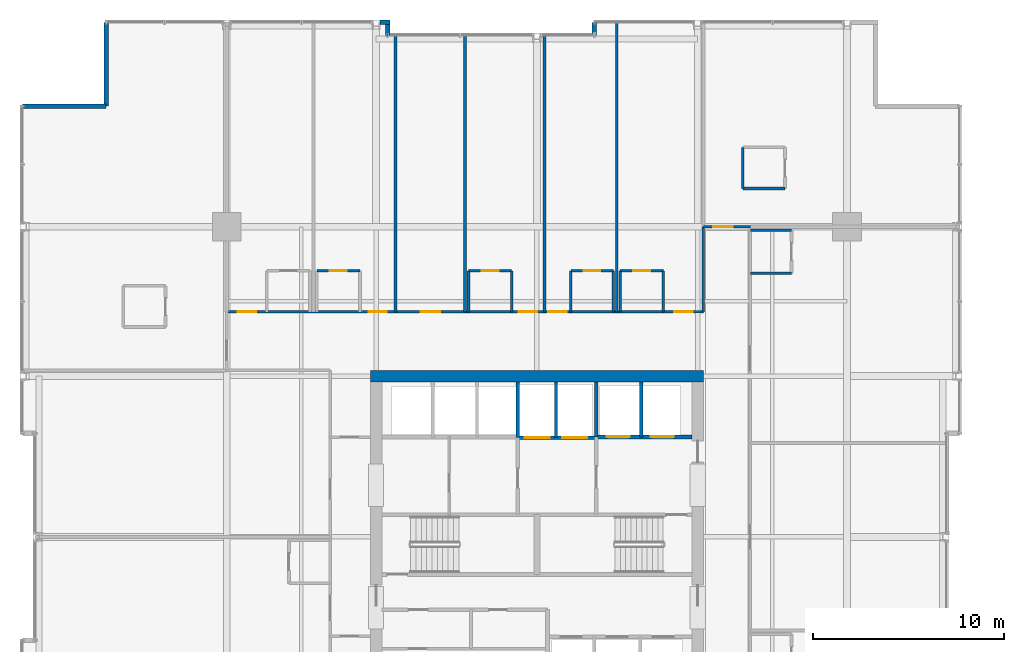
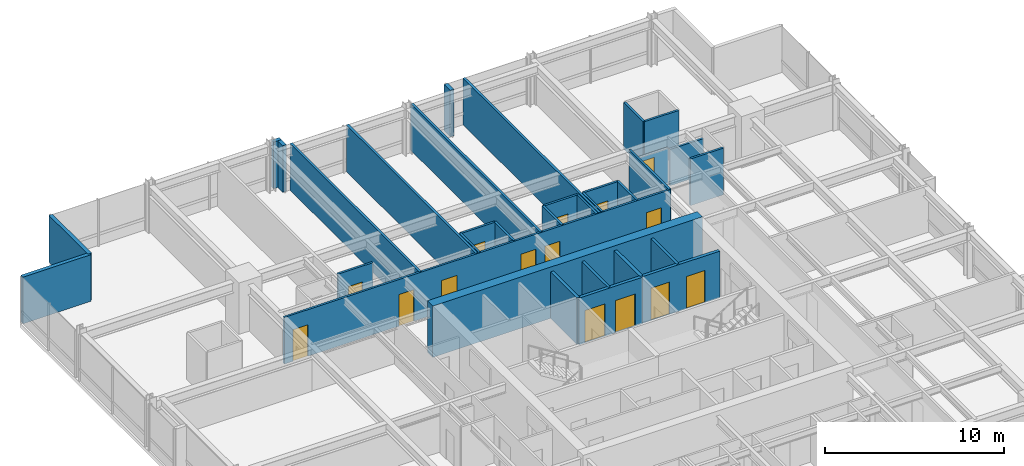
# One storey, part 31 of 35: 33 walls, 15 doors, 15 openings.
"""IFC4 building model written with IfcOpenShell, lengths in metres."""

from ifc_helpers import new_model, si_unit, direction, frame, frame_2d, origin, place, context, subcontext, project, spatial, rectangle, extrude, material, layer, layer_set, type_object, element, fill, save


model = new_model("IFC4")

# Units and contexts
model_context = context("Model", 3, precision=1e-05, world=origin(), true_north=direction((0.0, 1.0)))
body_context = subcontext(model_context, "Body", "Model", "MODEL_VIEW")
ifc_project = project(units=[si_unit("LENGTHUNIT", "METRE"), si_unit("AREAUNIT", "SQUARE_METRE"), si_unit("VOLUMEUNIT", "CUBIC_METRE"), si_unit("PLANEANGLEUNIT", "RADIAN"), si_unit("MASSUNIT", "GRAM", prefix="KILO")], contexts=[model_context])

# Site, building, storey
site_placement = place(None, origin())
site = spatial("IfcSite", under=ifc_project, at=site_placement, CompositionType="ELEMENT")
building_placement = place(site_placement, origin())
building = spatial("IfcBuilding", under=site, at=building_placement, Name="Drelvath Grand Hotel", CompositionType="ELEMENT")
storey_placement = place(building_placement, frame((0.0, 0.0, 137.300048828125)))
storey = spatial("IfcBuildingStorey", under=building, at=storey_placement, Name="L35", CompositionType="ELEMENT", Elevation=137.300048828125)

# Wall, openings, doors
ifc_material_1 = material(Name="Concrete C40/50", Category="concrete")
ifc_layer_1 = layer(ifc_material_1, 0.199951171875)
ifc_layer_set_1 = layer_set([ifc_layer_1], Name="Concrete C40/50")
wall_type_1 = type_object("IfcWallType", Name="Core Hoistway Fire Wall 200", PredefinedType="SOLIDWALL", material=ifc_layer_set_1)
wall_1_placement = place(storey_placement, frame((3.10009765625, 32.219970703125, 0.0), z_axis=(0.0, 0.0, 1.0), x_axis=(1.0, 0.0, 0.0)))
wall_1 = element("IfcWall", 1, at=wall_1_placement, inside=storey, type_object=wall_type_1, Name="L35 FSAE Hoistway Front Wall", PredefinedType="SOLIDWALL", context=body_context, shape_type="SweptSolid", body=[
    extrude(rectangle(XDim=5.0, YDim=0.199951171875, at=frame_2d((2.5, 0.0))), origin(), (0.0, 0.0, 1.0), 3.179931640625),
])
opening_1_placement = place(wall_1_placement, frame((0.550048828125, 0.0, 0.0)))
opening_1 = element("IfcOpeningElement", 2, at=opening_1_placement, cuts=wall_1, Name="Opening LD-FSAE-1", PredefinedType="OPENING", context=body_context, shape_type="SweptSolid", body=[
    extrude(rectangle(XDim=1.199951171875, YDim=2.199951171875, at=frame_2d((0.60009765625, 1.10009765625))), frame((0.0, 0.10986328125, 0.0), z_axis=(0.0, -1.0, 0.0), x_axis=(1.0, 0.0, 0.0)), (0.0, 0.0, 1.0), 0.219970703125),
])
opening_2_placement = place(wall_1_placement, frame((2.85009765625, 0.0, 0.0)))
opening_2 = element("IfcOpeningElement", 3, at=opening_2_placement, cuts=wall_1, Name="Opening LD-FSAE-2", PredefinedType="OPENING", context=body_context, shape_type="SweptSolid", body=[
    extrude(rectangle(XDim=1.199951171875, YDim=2.199951171875, at=frame_2d((0.60009765625, 1.10009765625))), frame((0.0, 0.10986328125, 0.0), z_axis=(0.0, -1.0, 0.0), x_axis=(1.0, 0.0, 0.0)), (0.0, 0.0, 1.0), 0.219970703125),
])
ifc_material_2 = material(Name="Stainless Steel S355", Category="steel")
door_type_1 = type_object("IfcDoorType", Name="FSAE Lift Sliding Landing Door 1200x2200", OperationType="NOTDEFINED", PredefinedType="DOOR", material=ifc_material_2)
door_1_placement = place(opening_1_placement, origin())
door_1 = element("IfcDoor", 4, at=door_1_placement, inside=storey, type_object=door_type_1, Name="L35 Lift FSAE-1 Landing Door", OperationType="SLIDING_TO_LEFT", OverallHeight=2.199951171875, OverallWidth=1.199951171875, PredefinedType="DOOR", context=body_context, shape_type="SweptSolid", body=[
    extrude(rectangle(XDim=1.199951171875, YDim=2.199951171875, at=frame_2d((0.60009765625, 1.10009765625))), frame((0.0, 0.02490234375, 0.0), z_axis=(0.0, -1.0, 0.0), x_axis=(1.0, 0.0, 0.0)), (0.0, 0.0, 1.0), 0.050048828125),
])
fill(opening_1, door_1)
door_2_placement = place(opening_2_placement, origin())
door_2 = element("IfcDoor", 5, at=door_2_placement, inside=storey, type_object=door_type_1, Name="L35 Lift FSAE-2 Landing Door", OperationType="SLIDING_TO_LEFT", OverallHeight=2.199951171875, OverallWidth=1.199951171875, PredefinedType="DOOR", context=body_context, shape_type="SweptSolid", body=[
    extrude(rectangle(XDim=1.199951171875, YDim=2.199951171875, at=frame_2d((0.60009765625, 1.10009765625))), frame((0.0, 0.02490234375, 0.0), z_axis=(0.0, -1.0, 0.0), x_axis=(1.0, 0.0, 0.0)), (0.0, 0.0, 1.0), 0.050048828125),
])
fill(opening_2, door_2)

# Wall
wall_2_placement = place(storey_placement, frame((3.10009765625, 32.219970703125, 0.0), z_axis=(0.0, 0.0, 1.0), x_axis=(0.0, 1.0, 0.0)))
element("IfcWall", 6, at=wall_2_placement, inside=storey, type_object=wall_type_1, Name="L35 FSAE Hoistway West Wall", PredefinedType="SOLIDWALL", context=body_context, shape_type="SweptSolid", body=[
    extrude(rectangle(XDim=2.880126953125, YDim=0.199951171875, at=frame_2d((1.43994140625, 0.0))), origin(), (0.0, 0.0, 1.0), 3.179931640625),
])

# Wall, openings, doors
wall_3_placement = place(storey_placement, frame((-1.0, 32.179931640625, 0.0), z_axis=(0.0, 0.0, 1.0), x_axis=(1.0, 0.0, 0.0)))
wall_3 = element("IfcWall", 7, at=wall_3_placement, inside=storey, type_object=wall_type_1, Name="L35 Service Lift Hoistway Wall", PredefinedType="SOLIDWALL", context=body_context, shape_type="SweptSolid", body=[
    extrude(rectangle(XDim=4.10009765625, YDim=0.199951171875, at=frame_2d((2.050048828125, 0.0))), origin(), (0.0, 0.0, 1.0), 3.179931640625),
])
opening_3_placement = place(wall_3_placement, frame((0.3701171875, 0.0, 0.0)))
opening_3 = element("IfcOpeningElement", 8, at=opening_3_placement, cuts=wall_3, Name="Opening LD-SV-2", PredefinedType="OPENING", context=body_context, shape_type="SweptSolid", body=[
    extrude(rectangle(XDim=1.300048828125, YDim=2.199951171875, at=frame_2d((0.64990234375, 1.10009765625))), frame((0.0, 0.10986328125, 0.0), z_axis=(0.0, -1.0, 0.0), x_axis=(1.0, 0.0, 0.0)), (0.0, 0.0, 1.0), 0.219970703125),
])
opening_4_placement = place(wall_3_placement, frame((2.330078125, 0.0, 0.0)))
opening_4 = element("IfcOpeningElement", 9, at=opening_4_placement, cuts=wall_3, Name="Opening LD-SV-1", PredefinedType="OPENING", context=body_context, shape_type="SweptSolid", body=[
    extrude(rectangle(XDim=1.300048828125, YDim=2.199951171875, at=frame_2d((0.64990234375, 1.10009765625))), frame((0.0, 0.10986328125, 0.0), z_axis=(0.0, -1.0, 0.0), x_axis=(1.0, 0.0, 0.0)), (0.0, 0.0, 1.0), 0.219970703125),
])
door_type_2 = type_object("IfcDoorType", Name="Service Lift Sliding Landing Door 1300x2200", OperationType="NOTDEFINED", PredefinedType="DOOR", material=ifc_material_2)
door_3_placement = place(opening_3_placement, origin())
door_3 = element("IfcDoor", 10, at=door_3_placement, inside=storey, type_object=door_type_2, Name="L35 Lift SV-2 Landing Door", OperationType="SLIDING_TO_LEFT", OverallHeight=2.199951171875, OverallWidth=1.300048828125, PredefinedType="DOOR", context=body_context, shape_type="SweptSolid", body=[
    extrude(rectangle(XDim=1.300048828125, YDim=2.199951171875, at=frame_2d((0.64990234375, 1.10009765625))), frame((0.0, 0.02490234375, 0.0), z_axis=(0.0, -1.0, 0.0), x_axis=(1.0, 0.0, 0.0)), (0.0, 0.0, 1.0), 0.050048828125),
])
fill(opening_3, door_3)
door_4_placement = place(opening_4_placement, origin())
door_4 = element("IfcDoor", 11, at=door_4_placement, inside=storey, type_object=door_type_2, Name="L35 Lift SV-1 Landing Door", OperationType="SLIDING_TO_LEFT", OverallHeight=2.199951171875, OverallWidth=1.300048828125, PredefinedType="DOOR", context=body_context, shape_type="SweptSolid", body=[
    extrude(rectangle(XDim=1.300048828125, YDim=2.199951171875, at=frame_2d((0.64990234375, 1.10009765625))), frame((0.0, 0.02490234375, 0.0), z_axis=(0.0, -1.0, 0.0), x_axis=(1.0, 0.0, 0.0)), (0.0, 0.0, 1.0), 0.050048828125),
])
fill(opening_4, door_4)

# Walls
wall_4_placement = place(storey_placement, frame((-1.0, 32.179931640625, 0.0), z_axis=(0.0, 0.0, 1.0), x_axis=(0.0, 1.0, 0.0)))
element("IfcWall", 12, at=wall_4_placement, inside=storey, type_object=wall_type_1, Name="L35 Service Lift West Wall", PredefinedType="SOLIDWALL", context=body_context, shape_type="SweptSolid", body=[
    extrude(rectangle(XDim=2.920166015625, YDim=0.199951171875, at=frame_2d((1.4599609375, 0.0))), origin(), (0.0, 0.0, 1.0), 3.179931640625),
])
ifc_material_3 = material(Name="Gypsum Fireboard Partition")
ifc_layer_2 = layer(ifc_material_3, 0.1650390625)
ifc_layer_set_2 = layer_set([ifc_layer_2], Name="Gypsum Fireboard Partition")
wall_type_2 = type_object("IfcWallType", Name="Core Shaft Partition 165", PredefinedType="PARTITIONING", material=ifc_layer_set_2)
wall_5_placement = place(storey_placement, frame((5.449951171875, 32.219970703125, 0.0), z_axis=(0.0, 0.0, 1.0), x_axis=(0.0, 1.0, 0.0)))
element("IfcWall", 13, at=wall_5_placement, inside=storey, type_object=wall_type_2, Name="L35 FSAE Hoistway Divider", PredefinedType="PARTITIONING", context=body_context, shape_type="SweptSolid", body=[
    extrude(rectangle(XDim=2.880126953125, YDim=0.1650390625, at=frame_2d((1.43994140625, 0.0))), origin(), (0.0, 0.0, 1.0), 3.179931640625),
])
wall_6_placement = place(storey_placement, frame((1.0, 32.179931640625, 0.0), z_axis=(0.0, 0.0, 1.0), x_axis=(0.0, 1.0, 0.0)))
element("IfcWall", 14, at=wall_6_placement, inside=storey, type_object=wall_type_2, Name="L35 Service Lift Divider", PredefinedType="PARTITIONING", context=body_context, shape_type="SweptSolid", body=[
    extrude(rectangle(XDim=2.920166015625, YDim=0.1650390625, at=frame_2d((1.4599609375, 0.0))), origin(), (0.0, 0.0, 1.0), 3.179931640625),
])
ifc_layer_3 = layer(ifc_material_3, 0.135009765625)
ifc_layer_set_3 = layer_set([ifc_layer_3], Name="Gypsum Fireboard Partition")
wall_type_3 = type_object("IfcWallType", Name="Corridor Fire Barrier Wall 135", PredefinedType="PARTITIONING", material=ifc_layer_set_3)
wall_7_placement = place(storey_placement, frame((8.699951171875, 38.75, 0.0), z_axis=(0.0, 0.0, 1.0), x_axis=(0.0, 1.0, 0.0)))
element("IfcWall", 15, at=wall_7_placement, inside=storey, type_object=wall_type_3, Name="L35 East Spine North Inner Wall", PredefinedType="PARTITIONING", context=body_context, shape_type="SweptSolid", body=[
    extrude(rectangle(XDim=4.449951171875, YDim=0.135009765625, at=frame_2d((2.22509765625, 0.0))), origin(), (0.0, 0.0, 1.0), 3.179931640625),
])

# Wall, openings, doors
wall_8_placement = place(storey_placement, frame((-16.199951171875, 38.75, 0.0), z_axis=(0.0, 0.0, 1.0), x_axis=(1.0, 0.0, 0.0)))
wall_8 = element("IfcWall", 16, at=wall_8_placement, inside=storey, type_object=wall_type_3, Name="L35 North Stub Corridor Wall", PredefinedType="PARTITIONING", context=body_context, shape_type="SweptSolid", body=[
    extrude(rectangle(XDim=24.89990234375, YDim=0.135009765625, at=frame_2d((12.449951171875, 0.0))), origin(), (0.0, 0.0, 1.0), 3.179931640625),
])
opening_5_placement = place(wall_8_placement, frame((0.568603515625, 0.0, 0.0)))
opening_5 = element("IfcOpeningElement", 17, at=opening_5_placement, cuts=wall_8, Name="Opening D-T2G5-040", PredefinedType="OPENING", context=body_context, shape_type="SweptSolid", body=[
    extrude(rectangle(XDim=0.9599609375, YDim=2.14990234375, at=frame_2d((0.47998046875, 1.074951171875))), frame((0.0, 0.077392578125, 0.0), z_axis=(0.0, -1.0, 0.0), x_axis=(1.0, 0.0, 0.0)), (0.0, 0.0, 1.0), 0.155029296875),
])
opening_6_placement = place(wall_8_placement, frame((7.40869140625, 0.0, 0.0)))
opening_6 = element("IfcOpeningElement", 18, at=opening_6_placement, cuts=wall_8, Name="Opening D-T2G5-042", PredefinedType="OPENING", context=body_context, shape_type="SweptSolid", body=[
    extrude(rectangle(XDim=0.9599609375, YDim=2.14990234375, at=frame_2d((0.47998046875, 1.074951171875))), frame((0.0, 0.077392578125, 0.0), z_axis=(0.0, -1.0, 0.0), x_axis=(1.0, 0.0, 0.0)), (0.0, 0.0, 1.0), 0.155029296875),
])
opening_7_placement = place(wall_8_placement, frame((10.125, 0.0, 0.0)))
opening_7 = element("IfcOpeningElement", 19, at=opening_7_placement, cuts=wall_8, Name="Opening D-T2G5-043", PredefinedType="OPENING", context=body_context, shape_type="SweptSolid", body=[
    extrude(rectangle(XDim=1.02001953125, YDim=2.14990234375, at=frame_2d((0.510009765625, 1.074951171875))), frame((0.0, 0.077392578125, 0.0), z_axis=(0.0, -1.0, 0.0), x_axis=(1.0, 0.0, 0.0)), (0.0, 0.0, 1.0), 0.155029296875),
])
opening_8_placement = place(wall_8_placement, frame((15.260009765625, 0.0, 0.0)))
opening_8 = element("IfcOpeningElement", 20, at=opening_8_placement, cuts=wall_8, Name="Opening D-T2G5-045", PredefinedType="OPENING", context=body_context, shape_type="SweptSolid", body=[
    extrude(rectangle(XDim=0.9599609375, YDim=2.14990234375, at=frame_2d((0.47998046875, 1.074951171875))), frame((0.0, 0.077392578125, 0.0), z_axis=(0.0, -1.0, 0.0), x_axis=(1.0, 0.0, 0.0)), (0.0, 0.0, 1.0), 0.155029296875),
])
opening_9_placement = place(wall_8_placement, frame((16.804931640625, 0.0, 0.0)))
opening_9 = element("IfcOpeningElement", 21, at=opening_9_placement, cuts=wall_8, Name="Opening D-T2G5-047", PredefinedType="OPENING", context=body_context, shape_type="SweptSolid", body=[
    extrude(rectangle(XDim=0.9599609375, YDim=2.14990234375, at=frame_2d((0.47998046875, 1.074951171875))), frame((0.0, 0.077392578125, 0.0), z_axis=(0.0, -1.0, 0.0), x_axis=(1.0, 0.0, 0.0)), (0.0, 0.0, 1.0), 0.155029296875),
])
opening_10_placement = place(wall_8_placement, frame((23.371337890625, 0.0, 0.0)))
opening_10 = element("IfcOpeningElement", 22, at=opening_10_placement, cuts=wall_8, Name="Opening D-T2G5-049", PredefinedType="OPENING", context=body_context, shape_type="SweptSolid", body=[
    extrude(rectangle(XDim=0.9599609375, YDim=2.14990234375, at=frame_2d((0.47998046875, 1.074951171875))), frame((0.0, 0.077392578125, 0.0), z_axis=(0.0, -1.0, 0.0), x_axis=(1.0, 0.0, 0.0)), (0.0, 0.0, 1.0), 0.155029296875),
])
ifc_material_4 = material(Name="Hardwood Walnut Timber", Category="wood")
door_type_3 = type_object("IfcDoorType", Name="Amenity Meeting Fire Door 1020x2150", OperationType="NOTDEFINED", PredefinedType="DOOR", material=ifc_material_4)
door_5_placement = place(opening_7_placement, origin())
door_5 = element("IfcDoor", 23, at=door_5_placement, inside=storey, type_object=door_type_3, Name="L35 Horizon Briefing Room Entry Door", OperationType="SINGLE_SWING_RIGHT", OverallHeight=2.14990234375, OverallWidth=1.02001953125, PredefinedType="DOOR", context=body_context, shape_type="SweptSolid", body=[
    extrude(rectangle(XDim=1.02001953125, YDim=2.14990234375, at=frame_2d((0.510009765625, 1.074951171875))), frame((0.0, 0.02490234375, 0.0), z_axis=(0.0, -1.0, 0.0), x_axis=(1.0, 0.0, 0.0)), (0.0, 0.0, 1.0), 0.050048828125),
])
fill(opening_7, door_5)
door_type_4 = type_object("IfcDoorType", Name="Guestroom Entrance Fire Door 960x2150", OperationType="NOTDEFINED", PredefinedType="DOOR", material=ifc_material_4)
door_6_placement = place(opening_5_placement, origin())
door_6 = element("IfcDoor", 24, at=door_6_placement, inside=storey, type_object=door_type_4, Name="L35 Deluxe Guest Room Entry Door", OperationType="SINGLE_SWING_LEFT", OverallHeight=2.14990234375, OverallWidth=0.9599609375, PredefinedType="DOOR", context=body_context, shape_type="SweptSolid", body=[
    extrude(rectangle(XDim=0.9599609375, YDim=2.14990234375, at=frame_2d((0.47998046875, 1.074951171875))), frame((0.0, 0.02490234375, 0.0), z_axis=(0.0, -1.0, 0.0), x_axis=(1.0, 0.0, 0.0)), (0.0, 0.0, 1.0), 0.050048828125),
])
fill(opening_5, door_6)
door_7_placement = place(opening_6_placement, origin())
door_7 = element("IfcDoor", 25, at=door_7_placement, inside=storey, type_object=door_type_4, Name="L35 Deluxe Guest Room Entry Door", OperationType="SINGLE_SWING_LEFT", OverallHeight=2.14990234375, OverallWidth=0.9599609375, PredefinedType="DOOR", context=body_context, shape_type="SweptSolid", body=[
    extrude(rectangle(XDim=0.9599609375, YDim=2.14990234375, at=frame_2d((0.47998046875, 1.074951171875))), frame((0.0, 0.02490234375, 0.0), z_axis=(0.0, -1.0, 0.0), x_axis=(1.0, 0.0, 0.0)), (0.0, 0.0, 1.0), 0.050048828125),
])
fill(opening_6, door_7)
door_8_placement = place(opening_8_placement, origin())
door_8 = element("IfcDoor", 26, at=door_8_placement, inside=storey, type_object=door_type_4, Name="L35 Deluxe Guest Room Entry Door", OperationType="SINGLE_SWING_RIGHT", OverallHeight=2.14990234375, OverallWidth=0.9599609375, PredefinedType="DOOR", context=body_context, shape_type="SweptSolid", body=[
    extrude(rectangle(XDim=0.9599609375, YDim=2.14990234375, at=frame_2d((0.47998046875, 1.074951171875))), frame((0.0, 0.02490234375, 0.0), z_axis=(0.0, -1.0, 0.0), x_axis=(1.0, 0.0, 0.0)), (0.0, 0.0, 1.0), 0.050048828125),
])
fill(opening_8, door_8)
door_9_placement = place(opening_9_placement, origin())
door_9 = element("IfcDoor", 27, at=door_9_placement, inside=storey, type_object=door_type_4, Name="L35 Deluxe Guest Room Entry Door", OperationType="SINGLE_SWING_RIGHT", OverallHeight=2.14990234375, OverallWidth=0.9599609375, PredefinedType="DOOR", context=body_context, shape_type="SweptSolid", body=[
    extrude(rectangle(XDim=0.9599609375, YDim=2.14990234375, at=frame_2d((0.47998046875, 1.074951171875))), frame((0.0, 0.02490234375, 0.0), z_axis=(0.0, -1.0, 0.0), x_axis=(1.0, 0.0, 0.0)), (0.0, 0.0, 1.0), 0.050048828125),
])
fill(opening_9, door_9)
door_10_placement = place(opening_10_placement, origin())
door_10 = element("IfcDoor", 28, at=door_10_placement, inside=storey, type_object=door_type_4, Name="L35 Deluxe Guest Room Entry Door", OperationType="SINGLE_SWING_RIGHT", OverallHeight=2.14990234375, OverallWidth=0.9599609375, PredefinedType="DOOR", context=body_context, shape_type="SweptSolid", body=[
    extrude(rectangle(XDim=0.9599609375, YDim=2.14990234375, at=frame_2d((0.47998046875, 1.074951171875))), frame((0.0, 0.02490234375, 0.0), z_axis=(0.0, -1.0, 0.0), x_axis=(1.0, 0.0, 0.0)), (0.0, 0.0, 1.0), 0.050048828125),
])
fill(opening_10, door_10)

# Wall, opening, door
wall_9_placement = place(storey_placement, frame((8.699951171875, 43.199951171875, 0.0), z_axis=(0.0, 0.0, 1.0), x_axis=(1.0, 0.0, 0.0)))
wall_9 = element("IfcWall", 29, at=wall_9_placement, inside=storey, type_object=wall_type_3, Name="L35 East Spine North End", PredefinedType="PARTITIONING", context=body_context, shape_type="SweptSolid", body=[
    extrude(rectangle(XDim=2.449951171875, YDim=0.135009765625, at=frame_2d((1.22509765625, 0.0))), origin(), (0.0, 0.0, 1.0), 2.469482421875),
])
opening_11_placement = place(wall_9_placement, frame((0.52001953125, 0.0, 0.0)))
opening_11 = element("IfcOpeningElement", 30, at=opening_11_placement, cuts=wall_9, Name="Opening D-T2G5-028", PredefinedType="OPENING", context=body_context, shape_type="SweptSolid", body=[
    extrude(rectangle(XDim=1.02001953125, YDim=2.14990234375, at=frame_2d((0.510009765625, 1.074951171875))), frame((0.0, 0.077392578125, 0.0), z_axis=(0.0, -1.0, 0.0), x_axis=(1.0, 0.0, 0.0)), (0.0, 0.0, 1.0), 0.155029296875),
])
door_11_placement = place(opening_11_placement, origin())
door_11 = element("IfcDoor", 31, at=door_11_placement, inside=storey, type_object=door_type_3, Name="L35 Corner Suite Entry Door", OperationType="SINGLE_SWING_LEFT", OverallHeight=2.14990234375, OverallWidth=1.02001953125, PredefinedType="DOOR", context=body_context, shape_type="SweptSolid", body=[
    extrude(rectangle(XDim=1.02001953125, YDim=2.14990234375, at=frame_2d((0.510009765625, 1.074951171875))), frame((0.0, 0.02490234375, 0.0), z_axis=(0.0, -1.0, 0.0), x_axis=(1.0, 0.0, 0.0)), (0.0, 0.0, 1.0), 0.050048828125),
])
fill(opening_11, door_11)

# Walls
ifc_material_5 = material(Name="Moisture-Resistant Gypsum Board")
ifc_layer_4 = layer(ifc_material_5, 0.139892578125)
ifc_layer_set_4 = layer_set([ifc_layer_4], Name="Moisture-Resistant Gypsum Board")
wall_type_4 = type_object("IfcWallType", Name="En-Suite Plumbing Wall 140", PredefinedType="PLUMBINGWALL", material=ifc_layer_set_4)
wall_10_placement = place(storey_placement, frame((10.760009765625, 45.199951171875, 0.0), z_axis=(0.0, 0.0, 1.0), x_axis=(1.0, 0.0, 0.0)))
element("IfcWall", 32, at=wall_10_placement, inside=storey, type_object=wall_type_4, Name="L35 Corner En-Suite South", PredefinedType="PLUMBINGWALL", context=body_context, shape_type="SweptSolid", body=[
    extrude(rectangle(XDim=2.199951171875, YDim=0.139892578125, at=frame_2d((1.10009765625, 0.0))), origin(), (0.0, 0.0, 1.0), 3.179931640625),
])
wall_11_placement = place(storey_placement, frame((10.760009765625, 45.199951171875, 0.0), z_axis=(0.0, 0.0, 1.0), x_axis=(0.0, 1.0, 0.0)))
element("IfcWall", 33, at=wall_11_placement, inside=storey, type_object=wall_type_4, Name="L35 Corner En-Suite West", PredefinedType="PLUMBINGWALL", context=body_context, shape_type="SweptSolid", body=[
    extrude(rectangle(XDim=2.150146484375, YDim=0.139892578125, at=frame_2d((1.0751953125, 0.0))), origin(), (0.0, 0.0, 1.0), 3.179931640625),
])

# Wall, opening, door
wall_12_placement = place(storey_placement, frame((-11.49267578125, 40.89990234375, 0.0), z_axis=(0.0, 0.0, 1.0), x_axis=(1.0, 0.0, 0.0)))
wall_12 = element("IfcWall", 34, at=wall_12_placement, inside=storey, type_object=wall_type_4, Name="L35 En-Suite Front Wall", PredefinedType="PLUMBINGWALL", context=body_context, shape_type="SweptSolid", body=[
    extrude(rectangle(XDim=2.25, YDim=0.139892578125, at=frame_2d((1.125, 0.0))), origin(), (0.0, 0.0, 1.0), 3.179931640625),
])
opening_12_placement = place(wall_12_placement, frame((0.68505859375, 0.0, 0.0)))
opening_12 = element("IfcOpeningElement", 35, at=opening_12_placement, cuts=wall_12, Name="Opening D-T2G5-041", PredefinedType="OPENING", context=body_context, shape_type="SweptSolid", body=[
    extrude(rectangle(XDim=0.8798828125, YDim=2.10009765625, at=frame_2d((0.43994140625, 1.050048828125))), frame((0.0, 0.079833984375, 0.0), z_axis=(0.0, -1.0, 0.0), x_axis=(1.0, 0.0, 0.0)), (0.0, 0.0, 1.0), 0.159912109375),
])
door_type_5 = type_object("IfcDoorType", Name="En-Suite Bathroom Door 880x2100", OperationType="NOTDEFINED", PredefinedType="DOOR", material=ifc_material_4)
door_12_placement = place(opening_12_placement, origin())
door_12 = element("IfcDoor", 36, at=door_12_placement, inside=storey, type_object=door_type_5, Name="L35 En-Suite Bathroom Door", OperationType="SINGLE_SWING_RIGHT", OverallHeight=2.10009765625, OverallWidth=0.8798828125, PredefinedType="DOOR", context=body_context, shape_type="SweptSolid", body=[
    extrude(rectangle(XDim=0.8798828125, YDim=2.10009765625, at=frame_2d((0.43994140625, 1.050048828125))), frame((0.0, 0.02490234375, 0.0), z_axis=(0.0, -1.0, 0.0), x_axis=(1.0, 0.0, 0.0)), (0.0, 0.0, 1.0), 0.050048828125),
])
fill(opening_12, door_12)

# Walls
for number, where, z_axis, x_axis, name in (
    (37, (-3.570068359375, 38.75, 0.0), (0.0, 0.0, 1.0), (0.0, 1.0, 0.0), "L35 En-Suite Left Wall"),
    (38, (-1.320068359375, 38.75, 0.0), (0.0, 0.0, 1.0), (0.0, 1.0, 0.0), "L35 En-Suite Right Wall"),
):
    element("IfcWall", number, at=place(storey_placement, frame(where, z_axis=z_axis, x_axis=x_axis)), inside=storey, type_object=wall_type_4, Name=name, PredefinedType="PLUMBINGWALL", context=body_context, shape_type="SweptSolid", body=[
        extrude(rectangle(XDim=2.14990234375, YDim=0.139892578125, at=frame_2d((1.074951171875, 0.0))), origin(), (0.0, 0.0, 1.0), 3.179931640625),
    ])

# Wall, opening, door
wall_13_placement = place(storey_placement, frame((-3.570068359375, 40.89990234375, 0.0), z_axis=(0.0, 0.0, 1.0), x_axis=(1.0, 0.0, 0.0)))
wall_13 = element("IfcWall", 39, at=wall_13_placement, inside=storey, type_object=wall_type_4, Name="L35 En-Suite Front Wall", PredefinedType="PLUMBINGWALL", context=body_context, shape_type="SweptSolid", body=[
    extrude(rectangle(XDim=2.25, YDim=0.139892578125, at=frame_2d((1.125, 0.0))), origin(), (0.0, 0.0, 1.0), 3.179931640625),
])
opening_13_placement = place(wall_13_placement, frame((0.68505859375, 0.0, 0.0)))
opening_13 = element("IfcOpeningElement", 40, at=opening_13_placement, cuts=wall_13, Name="Opening D-T2G5-044", PredefinedType="OPENING", context=body_context, shape_type="SweptSolid", body=[
    extrude(rectangle(XDim=0.8798828125, YDim=2.10009765625, at=frame_2d((0.43994140625, 1.050048828125))), frame((0.0, 0.079833984375, 0.0), z_axis=(0.0, -1.0, 0.0), x_axis=(1.0, 0.0, 0.0)), (0.0, 0.0, 1.0), 0.159912109375),
])
door_13_placement = place(opening_13_placement, origin())
door_13 = element("IfcDoor", 41, at=door_13_placement, inside=storey, type_object=door_type_5, Name="L35 En-Suite Bathroom Door", OperationType="SINGLE_SWING_LEFT", OverallHeight=2.10009765625, OverallWidth=0.8798828125, PredefinedType="DOOR", context=body_context, shape_type="SweptSolid", body=[
    extrude(rectangle(XDim=0.8798828125, YDim=2.10009765625, at=frame_2d((0.43994140625, 1.050048828125))), frame((0.0, 0.02490234375, 0.0), z_axis=(0.0, -1.0, 0.0), x_axis=(1.0, 0.0, 0.0)), (0.0, 0.0, 1.0), 0.050048828125),
])
fill(opening_13, door_13)

# Walls
for number, where, z_axis, x_axis, name in (
    (42, (1.769775390625, 38.75, 0.0), (0.0, 0.0, 1.0), (0.0, 1.0, 0.0), "L35 En-Suite Left Wall"),
    (43, (3.99267578125, 38.75, 0.0), (0.0, 0.0, 1.0), (0.0, 1.0, 0.0), "L35 En-Suite Right Wall"),
):
    element("IfcWall", number, at=place(storey_placement, frame(where, z_axis=z_axis, x_axis=x_axis)), inside=storey, type_object=wall_type_4, Name=name, PredefinedType="PLUMBINGWALL", context=body_context, shape_type="SweptSolid", body=[
        extrude(rectangle(XDim=2.14990234375, YDim=0.139892578125, at=frame_2d((1.074951171875, 0.0))), origin(), (0.0, 0.0, 1.0), 3.179931640625),
    ])

# Wall, opening, door
wall_14_placement = place(storey_placement, frame((1.769775390625, 40.89990234375, 0.0), z_axis=(0.0, 0.0, 1.0), x_axis=(1.0, 0.0, 0.0)))
wall_14 = element("IfcWall", 44, at=wall_14_placement, inside=storey, type_object=wall_type_4, Name="L35 En-Suite Front Wall", PredefinedType="PLUMBINGWALL", context=body_context, shape_type="SweptSolid", body=[
    extrude(rectangle(XDim=2.222900390625, YDim=0.139892578125, at=frame_2d((1.111328125, 0.0))), origin(), (0.0, 0.0, 1.0), 3.179931640625),
])
opening_14_placement = place(wall_14_placement, frame((0.67138671875, 0.0, 0.0)))
opening_14 = element("IfcOpeningElement", 45, at=opening_14_placement, cuts=wall_14, Name="Opening D-T2G5-046", PredefinedType="OPENING", context=body_context, shape_type="SweptSolid", body=[
    extrude(rectangle(XDim=0.8798828125, YDim=2.10009765625, at=frame_2d((0.43994140625, 1.050048828125))), frame((0.0, 0.079833984375, 0.0), z_axis=(0.0, -1.0, 0.0), x_axis=(1.0, 0.0, 0.0)), (0.0, 0.0, 1.0), 0.159912109375),
])
door_14_placement = place(opening_14_placement, origin())
door_14 = element("IfcDoor", 46, at=door_14_placement, inside=storey, type_object=door_type_5, Name="L35 En-Suite Bathroom Door", OperationType="SINGLE_SWING_LEFT", OverallHeight=2.10009765625, OverallWidth=0.8798828125, PredefinedType="DOOR", context=body_context, shape_type="SweptSolid", body=[
    extrude(rectangle(XDim=0.8798828125, YDim=2.10009765625, at=frame_2d((0.43994140625, 1.050048828125))), frame((0.0, 0.02490234375, 0.0), z_axis=(0.0, -1.0, 0.0), x_axis=(1.0, 0.0, 0.0)), (0.0, 0.0, 1.0), 0.050048828125),
])
fill(opening_14, door_14)

# Walls
for number, where, z_axis, x_axis, name in (
    (47, (4.352783203125, 38.75, 0.0), (0.0, 0.0, 1.0), (0.0, 1.0, 0.0), "L35 En-Suite Left Wall"),
    (48, (6.602783203125, 38.75, 0.0), (0.0, 0.0, 1.0), (0.0, 1.0, 0.0), "L35 En-Suite Right Wall"),
):
    element("IfcWall", number, at=place(storey_placement, frame(where, z_axis=z_axis, x_axis=x_axis)), inside=storey, type_object=wall_type_4, Name=name, PredefinedType="PLUMBINGWALL", context=body_context, shape_type="SweptSolid", body=[
        extrude(rectangle(XDim=2.14990234375, YDim=0.139892578125, at=frame_2d((1.074951171875, 0.0))), origin(), (0.0, 0.0, 1.0), 3.179931640625),
    ])

# Wall, opening, door
wall_15_placement = place(storey_placement, frame((4.352783203125, 40.89990234375, 0.0), z_axis=(0.0, 0.0, 1.0), x_axis=(1.0, 0.0, 0.0)))
wall_15 = element("IfcWall", 49, at=wall_15_placement, inside=storey, type_object=wall_type_4, Name="L35 En-Suite Front Wall", PredefinedType="PLUMBINGWALL", context=body_context, shape_type="SweptSolid", body=[
    extrude(rectangle(XDim=2.25, YDim=0.139892578125, at=frame_2d((1.125, 0.0))), origin(), (0.0, 0.0, 1.0), 3.179931640625),
])
opening_15_placement = place(wall_15_placement, frame((0.68505859375, 0.0, 0.0)))
opening_15 = element("IfcOpeningElement", 50, at=opening_15_placement, cuts=wall_15, Name="Opening D-T2G5-048", PredefinedType="OPENING", context=body_context, shape_type="SweptSolid", body=[
    extrude(rectangle(XDim=0.8798828125, YDim=2.10009765625, at=frame_2d((0.43994140625, 1.050048828125))), frame((0.0, 0.079833984375, 0.0), z_axis=(0.0, -1.0, 0.0), x_axis=(1.0, 0.0, 0.0)), (0.0, 0.0, 1.0), 0.159912109375),
])
door_15_placement = place(opening_15_placement, origin())
door_15 = element("IfcDoor", 51, at=door_15_placement, inside=storey, type_object=door_type_5, Name="L35 En-Suite Bathroom Door", OperationType="SINGLE_SWING_LEFT", OverallHeight=2.10009765625, OverallWidth=0.8798828125, PredefinedType="DOOR", context=body_context, shape_type="SweptSolid", body=[
    extrude(rectangle(XDim=0.8798828125, YDim=2.10009765625, at=frame_2d((0.43994140625, 1.050048828125))), frame((0.0, 0.02490234375, 0.0), z_axis=(0.0, -1.0, 0.0), x_axis=(1.0, 0.0, 0.0)), (0.0, 0.0, 1.0), 0.050048828125),
])
fill(opening_15, door_15)

# Walls
wall_16_placement = place(storey_placement, frame((11.14990234375, 40.77001953125, 0.0), z_axis=(0.0, 0.0, 1.0), x_axis=(1.0, 0.0, 0.0)))
element("IfcWall", 52, at=wall_16_placement, inside=storey, type_object=wall_type_4, Name="L35 En-Suite Left Wall", PredefinedType="PLUMBINGWALL", context=body_context, shape_type="SweptSolid", body=[
    extrude(rectangle(XDim=2.150146484375, YDim=0.139892578125, at=frame_2d((1.0751953125, 0.0))), origin(), (0.0, 0.0, 1.0), 3.179931640625),
])
wall_17_placement = place(storey_placement, frame((11.14990234375, 43.02001953125, 0.0), z_axis=(0.0, 0.0, 1.0), x_axis=(1.0, 0.0, 0.0)))
element("IfcWall", 53, at=wall_17_placement, inside=storey, type_object=wall_type_4, Name="L35 En-Suite Right Wall", PredefinedType="PLUMBINGWALL", context=body_context, shape_type="SweptSolid", body=[
    extrude(rectangle(XDim=2.150146484375, YDim=0.139892578125, at=frame_2d((1.0751953125, 0.0))), origin(), (0.0, 0.0, 1.0), 2.469482421875),
])
ifc_material_6 = material(Name="Gypsum Acoustic Partition")
ifc_layer_5 = layer(ifc_material_6, 0.14990234375)
ifc_layer_set_5 = layer_set([ifc_layer_5], Name="Gypsum Acoustic Partition")
wall_type_5 = type_object("IfcWallType", Name="Guestroom Demising Wall 150", PredefinedType="PARTITIONING", material=ifc_layer_set_5)
for number, where, z_axis, x_axis, name in (
    (54, (-7.3798828125, 38.75, 0.0), (0.0, 0.0, 1.0), (0.0, 1.0, 0.0), "L35 North Demising 2"),
    (55, (-3.75, 38.75, 0.0), (0.0, 0.0, 1.0), (0.0, 1.0, 0.0), "L35 North Demising 3"),
    (56, (0.39990234375, 38.75, 0.0), (0.0, 0.0, 1.0), (0.0, 1.0, 0.0), "L35 North Demising 4"),
):
    element("IfcWall", number, at=place(storey_placement, frame(where, z_axis=z_axis, x_axis=x_axis)), inside=storey, type_object=wall_type_5, Name=name, PredefinedType="PARTITIONING", context=body_context, shape_type="SweptSolid", body=[
        extrude(rectangle(XDim=14.449951171875, YDim=0.14990234375, at=frame_2d((7.22509765625, 0.0))), origin(), (0.0, 0.0, 1.0), 3.179931640625),
    ])
wall_18_placement = place(storey_placement, frame((4.172607421875, 38.75, 0.0), z_axis=(0.0, 0.0, 1.0), x_axis=(0.0, 1.0, 0.0)))
element("IfcWall", 57, at=wall_18_placement, inside=storey, type_object=wall_type_5, Name="L35 North Demising 5", PredefinedType="PARTITIONING", context=body_context, shape_type="SweptSolid", body=[
    extrude(rectangle(XDim=15.1298828125, YDim=0.14990234375, at=frame_2d((7.56494140625, 0.0))), origin(), (0.0, 0.0, 1.0), 3.179931640625),
])
ifc_material_7 = material(Name="Concrete f'c 70 MPa", Category="concrete")
ifc_layer_6 = layer(ifc_material_7, 0.60009765625)
ifc_layer_set_6 = layer_set([ifc_layer_6], Name="Concrete f'c 70 MPa")
wall_type_6 = type_object("IfcWallType", Name="Lower Core RC Shear Wall 600", PredefinedType="SHEAR", material=ifc_layer_set_6)
wall_19_placement = place(storey_placement, frame((-8.699951171875, 35.39990234375, 0.0), z_axis=(0.0, 0.0, 1.0), x_axis=(1.0, 0.0, 0.0)))
element("IfcWall", 58, at=wall_19_placement, inside=storey, type_object=wall_type_6, Name="L35 Central Core Shear Wall N", PredefinedType="SHEAR", context=body_context, shape_type="SweptSolid", body=[
    extrude(rectangle(XDim=17.39990234375, YDim=0.60009765625, at=frame_2d((8.699951171875, 0.0))), origin(), (0.0, 0.0, 1.0), 3.5),
])
ifc_material_8 = material(Name="Pale-Metal Insulated Aluminium Spandrel Assembly", Category="aluminium")
ifc_layer_7 = layer(ifc_material_8, 0.239990234375)
ifc_layer_set_7 = layer_set([ifc_layer_7], Name="Pale-Metal Insulated Aluminium Spandrel Assembly")
wall_type_7 = type_object("IfcWallType", Name="Tower Insulated Metal Spandrel Closure Wall 240", PredefinedType="STANDARD", material=ifc_layer_set_7)
wall_20_placement = place(storey_placement, frame((-8.190673828125, 53.8798828125, 0.0), z_axis=(0.0, 0.0, 1.0), x_axis=(1.0, 0.0, 0.0)))
element("IfcWall", 59, at=wall_20_placement, inside=storey, type_object=wall_type_7, Name="L35 Corner Pier Spandrel Wall NW3", PredefinedType="STANDARD", context=body_context, shape_type="SweptSolid", body=[
    extrude(rectangle(XDim=0.5107421875, YDim=0.239990234375, at=frame_2d((0.25537109375, 0.0))), origin(), (0.0, 0.0, 1.0), 3.179931640625),
])
for number, where, z_axis, x_axis, name in (
    (60, (-26.8798828125, 49.5, 0.0), (0.0, 0.0, 1.0), (1.0, 0.0, 0.0), "L35 Notched Corner Return Spandrel Wall CNW1"),
    (61, (-22.5, 49.5, 0.0), (0.0, 0.0, 1.0), (0.0, 1.0, 0.0), "L35 Notched Corner Return Spandrel Wall CNW2"),
):
    element("IfcWall", number, at=place(storey_placement, frame(where, z_axis=z_axis, x_axis=x_axis)), inside=storey, type_object=wall_type_7, Name=name, PredefinedType="STANDARD", context=body_context, shape_type="SweptSolid", body=[
        extrude(rectangle(XDim=4.3798828125, YDim=0.239990234375, at=frame_2d((2.18994140625, 0.0))), origin(), (0.0, 0.0, 1.0), 3.179931640625),
    ])
wall_21_placement = place(storey_placement, frame((-7.800048828125, 53.760009765625, 0.0), z_axis=(0.0, 0.0, 1.0), x_axis=(0.0, -1.0, 0.0)))
element("IfcWall", 62, at=wall_21_placement, inside=storey, type_object=wall_type_7, Name="L35 Notched Corner Return Spandrel Wall RN1", PredefinedType="STANDARD", context=body_context, shape_type="SweptSolid", body=[
    extrude(rectangle(XDim=0.56005859375, YDim=0.239990234375, at=frame_2d((0.280029296875, 0.0))), origin(), (0.0, 0.0, 1.0), 3.179931640625),
])
wall_22_placement = place(storey_placement, frame((3.0, 53.199951171875, 0.0), z_axis=(0.0, 0.0, 1.0), x_axis=(0.0, 1.0, 0.0)))
element("IfcWall", 63, at=wall_22_placement, inside=storey, type_object=wall_type_7, Name="L35 Notched Corner Return Spandrel Wall RN2", PredefinedType="STANDARD", context=body_context, shape_type="SweptSolid", body=[
    extrude(rectangle(XDim=0.679931640625, YDim=0.239990234375, at=frame_2d((0.33984375, 0.0))), origin(), (0.0, 0.0, 1.0), 3.179931640625),
])

save(model, "model.ifc")
